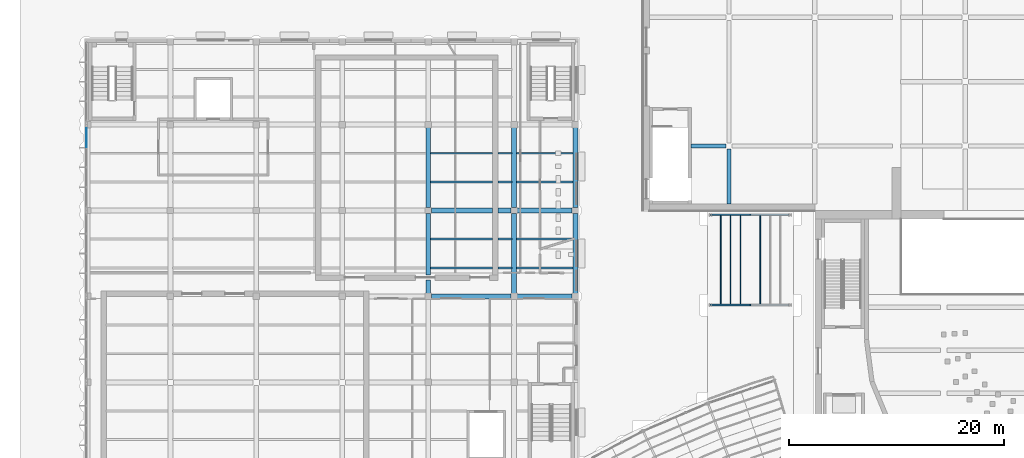
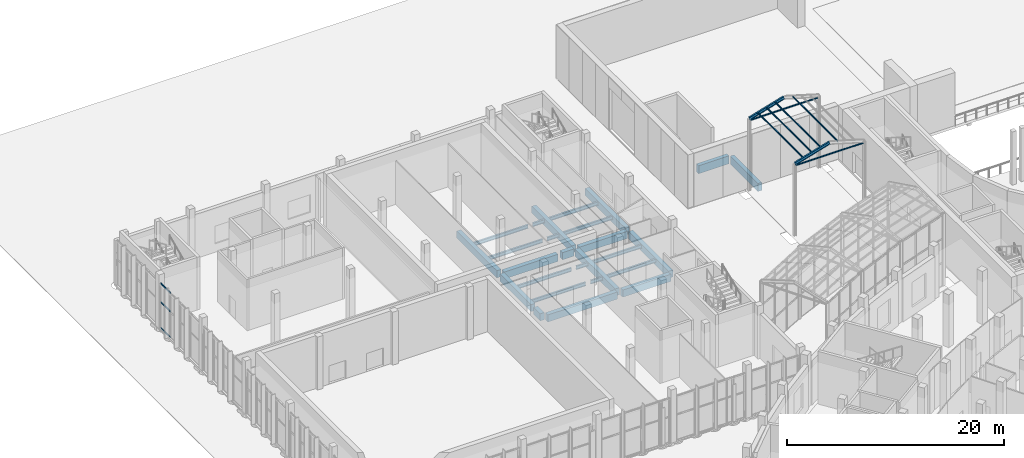
# One storey, part 41 of 155: 30 beams, 7 members, 1 element without a shape of its own.
"""IFC4 building model written with IfcOpenShell, lengths in metres."""

import ifcopenshell
import ifcopenshell.guid

model = None  # the IFC model being written
_history = None  # IfcOwnerHistory: only IFC2X3 demands one
_inside = {}  # id of a spatial element -> (the spatial element, [elements in it])
_under = {}  # id of a project, library or spatial element -> (it, [spatial elements below it])
_declared = {}  # id of a project -> (the project, [libraries it declares])
_typed = {}  # id of a type object -> (the type object, [elements of that type])
_made_of = {}  # id of a material, layer set ... -> (it, [elements and type objects made of it])


def new_model(schema):
    """Start an empty IFC model of exactly this schema.

    Asked for "IFC4X3", IfcOpenShell would pick the latest addendum, in which some entities
    have other attributes; the version numbers below select the first issue.
    IFC2X3 requires an IfcOwnerHistory on every rooted entity: one is made here for all.
    """
    global model, _history
    if schema == "IFC4X3":
        model = ifcopenshell.file(schema_version=(4, 3, 0, 0))
    else:
        model = ifcopenshell.file(schema=schema)
    _inside.clear()
    _under.clear()
    _declared.clear()
    _typed.clear()
    _made_of.clear()
    _history = None
    if model.schema == "IFC2X3":
        org = make("IfcOrganization", Name="unknown")
        user = make(
            "IfcPersonAndOrganization",
            ThePerson=make("IfcPerson", FamilyName="unknown"),
            TheOrganization=org,
        )
        app = make(
            "IfcApplication",
            ApplicationDeveloper=org,
            Version="unknown",
            ApplicationFullName="unknown",
            ApplicationIdentifier="unknown",
        )
        _history = make(
            "IfcOwnerHistory",
            OwningUser=user,
            OwningApplication=app,
            ChangeAction="ADDED",
            CreationDate=0,
        )
    return model


def make(cls, **values):
    """One entity of the class cls with the attributes given. An attribute that is None is left unset."""
    return model.create_entity(
        cls, **{name: value for name, value in values.items() if value is not None}
    )


def rooted(cls, **values):
    """An entity with a GlobalId (a new one), such as an element, a storey or a relation."""
    return make(cls, GlobalId=ifcopenshell.guid.new(), OwnerHistory=_history, **values)


def si_unit(unit_type, name, prefix=None):
    """IfcSIUnit, for example si_unit("LENGTHUNIT", "METRE", prefix="MILLI")."""
    return make("IfcSIUnit", UnitType=unit_type, Prefix=prefix, Name=name)


def assignment(units):
    """IfcUnitAssignment: the units of a project."""
    return None if units is None else make("IfcUnitAssignment", Units=units)


def point(xyz):
    """IfcCartesianPoint."""
    return None if xyz is None else make("IfcCartesianPoint", Coordinates=xyz)


def direction(xyz):
    """IfcDirection."""
    return None if xyz is None else make("IfcDirection", DirectionRatios=xyz)


def frame(location, z_axis=None, x_axis=None):
    """IfcAxis2Placement3D, a coordinate frame: its origin and axes. An axis left out is left unset."""
    return make(
        "IfcAxis2Placement3D",
        Location=point(location),
        Axis=direction(z_axis),
        RefDirection=direction(x_axis),
    )


def frame_2d(location, x_axis=None):
    """IfcAxis2Placement2D, a coordinate frame in the plane: its origin and x axis."""
    return make(
        "IfcAxis2Placement2D", Location=point(location), RefDirection=direction(x_axis)
    )


def origin():
    """The frame at (0, 0, 0) with its axes left unset."""
    return frame((0.0, 0.0, 0.0))


def origin_2d():
    """The frame at (0, 0) in the plane with its x axis left unset."""
    return frame_2d((0.0, 0.0))


def place(relative_to, where):
    """IfcLocalPlacement: puts the frame where relative to a parent placement (None: the world)."""
    return make(
        "IfcLocalPlacement", PlacementRelTo=relative_to, RelativePlacement=where
    )


def context(
    kind, dimensions, precision=None, world=None, true_north=None, identifier=None
):
    """IfcGeometricRepresentationContext, for example the 3D "Model" context."""
    return make(
        "IfcGeometricRepresentationContext",
        ContextIdentifier=identifier,
        ContextType=kind,
        CoordinateSpaceDimension=dimensions,
        Precision=precision,
        WorldCoordinateSystem=world,
        TrueNorth=true_north,
    )


def subcontext(parent, identifier, kind, view, scale=None):
    """IfcGeometricRepresentationSubContext, for example "Body" below "Model"."""
    return make(
        "IfcGeometricRepresentationSubContext",
        ContextIdentifier=identifier,
        ContextType=kind,
        ParentContext=parent,
        TargetScale=scale,
        TargetView=view,
    )


def project(units=None, contexts=None):
    """IfcProject with its units and contexts."""
    return rooted(
        "IfcProject",
        Name="project",
        RepresentationContexts=contexts,
        UnitsInContext=assignment(units),
    )


def spatial(cls, under=None, at=None, **own):
    """A site, building, storey or space (cls), placed at a placement, below another one or the project."""
    s = rooted(cls, ObjectPlacement=at, **own)
    if under is not None:
        _under.setdefault(under.id(), (under, []))[1].append(s)
    return s


def profile(cls, at=None, kind="AREA", **sizes):
    """A parametric profile (cls). Its sizes go by their IFC names, for example OverallWidth=200.0."""
    return make(cls, ProfileType=kind, Position=at, **sizes)


def rectangle(**sizes):
    """IfcRectangleProfileDef."""
    return profile("IfcRectangleProfileDef", **sizes)


def hollow_rectangle(**sizes):
    """IfcRectangleHollowProfileDef."""
    return profile("IfcRectangleHollowProfileDef", **sizes)


def i_section(**sizes):
    """IfcIShapeProfileDef."""
    return profile("IfcIShapeProfileDef", **sizes)


def extrude(swept, where, along, depth):
    """IfcExtrudedAreaSolid: the profile swept, set in the frame where, extruded along a direction by depth."""
    return make(
        "IfcExtrudedAreaSolid",
        SweptArea=swept,
        Position=where,
        ExtrudedDirection=direction(along),
        Depth=depth,
    )


def shape(context_of_items, identifier, shape_type, items):
    """IfcShapeRepresentation: the items that make up one representation, for example the "Body"."""
    return make(
        "IfcShapeRepresentation",
        ContextOfItems=context_of_items,
        RepresentationIdentifier=identifier,
        RepresentationType=shape_type,
        Items=items,
    )


def material(Name=None, Category=None):
    """IfcMaterial."""
    return make("IfcMaterial", Name=Name, Category=Category)


def layer(
    of_material, thickness, ventilated=None, Name=None, Category=None, Priority=None
):
    """IfcMaterialLayer: one layer of a wall or slab, of a material (None: an air gap)."""
    return make(
        "IfcMaterialLayer",
        Material=of_material,
        LayerThickness=thickness,
        IsVentilated=ventilated,
        Name=Name,
        Category=Category,
        Priority=Priority,
    )


def layer_set(layers, Name=None):
    """IfcMaterialLayerSet."""
    return make("IfcMaterialLayerSet", MaterialLayers=layers, LayerSetName=Name)


def material_profile(
    of_material, cross_section, Name=None, Category=None, Priority=None
):
    """IfcMaterialProfile: a cross section and its material."""
    return make(
        "IfcMaterialProfile",
        Name=Name,
        Material=of_material,
        Profile=cross_section,
        Priority=Priority,
        Category=Category,
    )


def profile_set(profiles, Name=None, composite=None):
    """IfcMaterialProfileSet."""
    return make(
        "IfcMaterialProfileSet",
        Name=Name,
        MaterialProfiles=profiles,
        CompositeProfile=composite,
    )


def made_of(thing, what):
    """Note that an element or type object is made of a material, layer set ...; save() writes the relation."""
    if what is not None:
        _made_of.setdefault(what.id(), (what, []))[1].append(thing)
    return thing


def type_object(cls, material=None, **own):
    """A type object (cls), such as IfcWallType, which elements share."""
    return made_of(rooted(cls, **own), material)


def element(
    cls,
    number,
    at=None,
    inside=None,
    cuts=None,
    type_object=None,
    material=None,
    context=None,
    identifier="Body",
    shape_type=None,
    held_by="IfcProductDefinitionShape",
    body=None,
    shapes=None,
    **own,
):
    """One element of the class cls, such as IfcWall. Its Tag is "e" and its number.

    at: its placement. inside: the storey or other place that contains it. cuts: it is an
    opening in that element (IfcRelVoidsElement). A single representation is given by context,
    identifier, shape_type and body (its items); several are given by shapes. held_by: the class
    of the entity that holds the representations. save() writes the other relations.
    """
    e = rooted(cls, Tag="e%d" % number, ObjectPlacement=at, **own)
    if body is not None:
        shapes = [shape(context, identifier, shape_type, body)]
    if shapes is not None:
        e.Representation = make(held_by, Representations=shapes)
    if inside is not None:
        _inside.setdefault(inside.id(), (inside, []))[1].append(e)
    if cuts is not None:
        rooted(
            "IfcRelVoidsElement", RelatingBuildingElement=cuts, RelatedOpeningElement=e
        )
    if type_object is not None:
        _typed.setdefault(type_object.id(), (type_object, []))[1].append(e)
    return made_of(e, material)


def aggregate(whole, parts):
    """IfcRelAggregates: a whole, such as a stair, and the parts it consists of."""
    return rooted("IfcRelAggregates", RelatingObject=whole, RelatedObjects=parts)


def save(model, path):
    """Write the relations noted so far, then the file.

    IfcRelAggregates (storeys below a building ...), IfcRelContainedInSpatialStructure (elements
    in a storey), IfcRelDefinesByType, IfcRelAssociatesMaterial and IfcRelDeclares: one each for
    every whole, place, type object, material and project.
    """
    for whole, parts in _under.values():
        aggregate(whole, parts)
    for where, things in _inside.values():
        rooted(
            "IfcRelContainedInSpatialStructure",
            RelatedElements=things,
            RelatingStructure=where,
        )
    for kind, things in _typed.values():
        rooted("IfcRelDefinesByType", RelatedObjects=things, RelatingType=kind)
    for what, things in _made_of.values():
        rooted("IfcRelAssociatesMaterial", RelatedObjects=things, RelatingMaterial=what)
    for by, libraries in _declared.values():
        rooted("IfcRelDeclares", RelatingContext=by, RelatedDefinitions=libraries)
    model.write(path)


model = new_model("IFC4")

# Units and contexts
model_context = context("Model", 3, precision=1e-05, world=origin(), true_north=direction((0.0, 1.0)))
body_context = subcontext(model_context, "Body", "Model", "MODEL_VIEW")
ifc_project = project(units=[si_unit("LENGTHUNIT", "METRE"), si_unit("AREAUNIT", "SQUARE_METRE"), si_unit("VOLUMEUNIT", "CUBIC_METRE"), si_unit("PLANEANGLEUNIT", "RADIAN"), si_unit("MASSUNIT", "GRAM", prefix="KILO")], contexts=[model_context])

# Site, building, storey
site_placement = place(None, origin())
site = spatial("IfcSite", under=ifc_project, at=site_placement, CompositionType="ELEMENT")
building_placement = place(site_placement, origin())
building = spatial("IfcBuilding", under=site, at=building_placement, Name="Lunette Opera House", CompositionType="ELEMENT")
storey_placement = place(building_placement, origin())
storey = spatial("IfcBuildingStorey", under=building, at=storey_placement, Name="L00", CompositionType="ELEMENT", Elevation=0.0)

# Members
ifc_material_1 = material(Name="Steel S355", Category="steel")
ifc_material_profile_1 = material_profile(ifc_material_1, i_section(OverallWidth=0.08203125, OverallDepth=0.159912109375, WebThickness=0.0048828125, FlangeThickness=0.00732421875, FilletRadius=0.009033203125, at=origin_2d()), Name="IPE 160")
ifc_profile_set_1 = profile_set([ifc_material_profile_1], Name="Steel S355")
member_type_1 = type_object("IfcMemberType", Name="PURLIN IPE 160", PredefinedType="PURLIN", material=ifc_profile_set_1)
for number, where, z_axis, x_axis, name in (
    (1, (67.22509765625, 87.199951171875, 8.47509765625), (0.0, 1.0, 0.0), (-1.0, 0.0, 0.0), "mem-PP-L00-PUFLW2A1872"),
    (2, (68.14990234375, 87.199951171875, 8.75), (0.0, 1.0, 0.0), (-1.0, 0.0, 0.0), "mem-PP-L00-PUFLW2A2872"),
    (3, (69.074951171875, 87.199951171875, 9.02490234375), (0.0, 1.0, 0.0), (-1.0, 0.0, 0.0), "mem-PP-L00-PUFLW2A3872"),
    (4, (70.925048828125, 87.199951171875, 9.02490234375), (0.0, 1.0, 0.0), (-1.0, 0.0, 0.0), "mem-PP-L00-PUFLW2B3872"),
):
    element("IfcMember", number, at=place(storey_placement, frame(where, z_axis=z_axis, x_axis=x_axis)), inside=storey, type_object=member_type_1, Name=name, PredefinedType="PURLIN", context=body_context, shape_type="SweptSolid", body=[
        extrude(i_section(OverallWidth=0.08203125, OverallDepth=0.159912109375, WebThickness=0.0048828125, FlangeThickness=0.00732421875, FilletRadius=0.009033203125, at=origin_2d()), origin(), (0.0, 0.0, 1.0), 8.400146484375),
    ])

# Beams
ifc_material_2 = material(Name="Concrete C35/45", Category="concrete")
ifc_material_profile_2 = material_profile(ifc_material_2, rectangle(XDim=0.39990234375, YDim=0.89990234375, at=origin_2d()), Name="RC BEAM 400X900")
ifc_profile_set_2 = profile_set([ifc_material_profile_2], Name="Concrete C35/45")
beam_type_1 = type_object("IfcBeamType", Name="RC BEAM 400X900", PredefinedType="BEAM", material=ifc_profile_set_2)
beam_1_placement = place(storey_placement, frame((64.489990234375, 102.0, -0.75), z_axis=(1.0, 0.0, 0.0), x_axis=(0.0, 1.0, 0.0)))
element("IfcBeam", 5, at=beam_1_placement, inside=storey, type_object=beam_type_1, Name="beam-ST-L00-SW-X1020-1", PredefinedType="BEAM", context=body_context, shape_type="SweptSolid", body=[
    extrude(rectangle(XDim=0.39990234375, YDim=0.89990234375, at=origin_2d()), origin(), (0.0, 0.0, 1.0), 3.219970703125),
])
beam_2_placement = place(storey_placement, frame((68.0, 96.590087890625, -0.75), z_axis=(0.0, 1.0, 0.0), x_axis=(-1.0, 0.0, 0.0)))
element("IfcBeam", 6, at=beam_2_placement, inside=storey, type_object=beam_type_1, Name="beam-ST-L00-SW-Y680-1", PredefinedType="BEAM", context=body_context, shape_type="SweptSolid", body=[
    extrude(rectangle(XDim=0.39990234375, YDim=0.89990234375, at=origin_2d()), origin(), (0.0, 0.0, 1.0), 5.119873046875),
])
ifc_material_3 = material(Name="Concrete C35/45", Category="concrete")
ifc_material_profile_3 = material_profile(ifc_material_3, rectangle(XDim=0.449951171875, YDim=0.800048828125, at=origin_2d()), Name="RC BEAM 450X800")
ifc_profile_set_3 = profile_set([ifc_material_profile_3], Name="Concrete C35/45")
beam_type_2 = type_object("IfcBeamType", Name="RC BEAM 450X800", PredefinedType="BEAM", material=ifc_profile_set_3)
beam_3_placement = place(storey_placement, frame((40.0, 88.2900390625, -0.550048828125), z_axis=(0.0, 1.0, 0.0), x_axis=(-1.0, 0.0, 0.0)))
element("IfcBeam", 7, at=beam_3_placement, inside=storey, type_object=beam_type_2, Name="beam-RW-L00-L00-GY43", PredefinedType="BEAM", context=body_context, shape_type="SweptSolid", body=[
    extrude(rectangle(XDim=0.449951171875, YDim=0.800048828125, at=origin_2d()), origin(), (0.0, 0.0, 1.0), 1.219970703125),
])
beam_4_placement = place(storey_placement, frame((40.0, 89.989990234375, -0.550048828125), z_axis=(0.0, 1.0, 0.0), x_axis=(-1.0, 0.0, 0.0)))
element("IfcBeam", 8, at=beam_4_placement, inside=storey, type_object=beam_type_2, Name="beam-RW-L00-L00-GY43-1", PredefinedType="BEAM", context=body_context, shape_type="SweptSolid", body=[
    extrude(rectangle(XDim=0.449951171875, YDim=0.800048828125, at=origin_2d()), origin(), (0.0, 0.0, 1.0), 5.719970703125),
])
for number, where, z_axis, x_axis, name in (
    (9, (40.0, 96.2900390625, -0.550048828125), (0.0, 1.0, 0.0), (-1.0, 0.0, 0.0), "beam-RW-L00-L00-GY44"),
    (10, (48.0, 88.2900390625, -0.550048828125), (0.0, 1.0, 0.0), (-1.0, 0.0, 0.0), "beam-RW-L00-L00-GY53"),
    (11, (48.0, 96.2900390625, -0.550048828125), (0.0, 1.0, 0.0), (-1.0, 0.0, 0.0), "beam-RW-L00-L00-GY54"),
    (12, (53.699951171875, 88.2900390625, -0.550048828125), (0.0, 1.0, 0.0), (-1.0, 0.0, 0.0), "beam-RW-L00-L00-GY63"),
    (13, (53.699951171875, 96.2900390625, -0.550048828125), (0.0, 1.0, 0.0), (-1.0, 0.0, 0.0), "beam-RW-L00-L00-GY64"),
    (14, (40.2900390625, 88.0, -0.550048828125), (1.0, 0.0, 0.0), (0.0, 1.0, 0.0), "beam-RW-L00-L00-GX43"),
):
    element("IfcBeam", number, at=place(storey_placement, frame(where, z_axis=z_axis, x_axis=x_axis)), inside=storey, type_object=beam_type_2, Name=name, PredefinedType="BEAM", context=body_context, shape_type="SweptSolid", body=[
        extrude(rectangle(XDim=0.449951171875, YDim=0.800048828125, at=origin_2d()), origin(), (0.0, 0.0, 1.0), 7.419921875),
    ])
beam_5_placement = place(storey_placement, frame((48.2900390625, 88.0, -0.550048828125), z_axis=(1.0, 0.0, 0.0), x_axis=(0.0, 1.0, 0.0)))
element("IfcBeam", 15, at=beam_5_placement, inside=storey, type_object=beam_type_2, Name="beam-RW-L00-L00-GX53", PredefinedType="BEAM", context=body_context, shape_type="SweptSolid", body=[
    extrude(rectangle(XDim=0.449951171875, YDim=0.800048828125, at=origin_2d()), origin(), (0.0, 0.0, 1.0), 5.119873046875),
])
beam_6_placement = place(storey_placement, frame((40.2900390625, 96.0, -0.550048828125), z_axis=(1.0, 0.0, 0.0), x_axis=(0.0, 1.0, 0.0)))
element("IfcBeam", 16, at=beam_6_placement, inside=storey, type_object=beam_type_2, Name="beam-RW-L00-L00-GX44", PredefinedType="BEAM", context=body_context, shape_type="SweptSolid", body=[
    extrude(rectangle(XDim=0.449951171875, YDim=0.800048828125, at=origin_2d()), origin(), (0.0, 0.0, 1.0), 5.719970703125),
])
beam_7_placement = place(storey_placement, frame((46.489990234375, 96.0, -0.550048828125), z_axis=(1.0, 0.0, 0.0), x_axis=(0.0, 1.0, 0.0)))
element("IfcBeam", 17, at=beam_7_placement, inside=storey, type_object=beam_type_2, Name="beam-RW-L00-L00-GX44-1", PredefinedType="BEAM", context=body_context, shape_type="SweptSolid", body=[
    extrude(rectangle(XDim=0.449951171875, YDim=0.800048828125, at=origin_2d()), origin(), (0.0, 0.0, 1.0), 1.219970703125),
])
beam_8_placement = place(storey_placement, frame((48.2900390625, 96.0, -0.550048828125), z_axis=(1.0, 0.0, 0.0), x_axis=(0.0, 1.0, 0.0)))
element("IfcBeam", 18, at=beam_8_placement, inside=storey, type_object=beam_type_2, Name="beam-RW-L00-L00-GX54", PredefinedType="BEAM", context=body_context, shape_type="SweptSolid", body=[
    extrude(rectangle(XDim=0.449951171875, YDim=0.800048828125, at=origin_2d()), origin(), (0.0, 0.0, 1.0), 5.119873046875),
])
ifc_material_4 = material(Name="Steel S355", Category="steel")
ifc_material_profile_4 = material_profile(ifc_material_4, i_section(OverallWidth=0.159912109375, OverallDepth=0.330078125, WebThickness=0.007568359375, FlangeThickness=0.011474609375, FilletRadius=0.01806640625, at=origin_2d()), Name="IPE 330")
ifc_profile_set_4 = profile_set([ifc_material_profile_4], Name="Steel S355")
beam_type_3 = type_object("IfcBeamType", Name="STEEL BEAM IPE 330", PredefinedType="BEAM", material=ifc_profile_set_4)
for number, where, z_axis, x_axis, name in (
    (19, (66.300048828125, 87.199951171875, 8.14990234375), (0.95852841803, 0.0, 0.284996968106), (0.0, 1.0, 0.0), "beam-PP-L00-FRW1A"),
    (20, (66.300048828125, 95.60009765625, 8.14990234375), (0.95852841803, 0.0, 0.284996968106), (0.0, 1.0, 0.0), "beam-PP-L00-FRW2A"),
):
    element("IfcBeam", number, at=place(storey_placement, frame(where, z_axis=z_axis, x_axis=x_axis)), inside=storey, type_object=beam_type_3, Name=name, PredefinedType="BEAM", context=body_context, shape_type="SweptSolid", body=[
        extrude(i_section(OverallWidth=0.159912109375, OverallDepth=0.330078125, WebThickness=0.007568359375, FlangeThickness=0.011474609375, FilletRadius=0.01806640625, at=origin_2d()), origin(), (0.0, 0.0, 1.0), 3.860107421875),
    ])
ifc_material_5 = material(Name="Steel S355", Category="steel")
ifc_material_profile_5 = material_profile(ifc_material_5, i_section(OverallWidth=0.179931640625, OverallDepth=0.39990234375, WebThickness=0.008544921875, FlangeThickness=0.013427734375, FilletRadius=0.02099609375, at=origin_2d()), Name="IPE 400")
ifc_profile_set_5 = profile_set([ifc_material_profile_5], Name="Steel S355")
beam_type_4 = type_object("IfcBeamType", Name="STEEL BEAM IPE 400", PredefinedType="BEAM", material=ifc_profile_set_5)
beam_9_placement = place(storey_placement, frame((40.215087890625, 90.6669921875, -0.35009765625), z_axis=(1.0, 0.0, 0.0), x_axis=(0.0, 1.0, 0.0)))
element("IfcBeam", 21, at=beam_9_placement, inside=storey, type_object=beam_type_4, Name="beam-RW-L00-L00-SX431", PredefinedType="BEAM", context=body_context, shape_type="SweptSolid", body=[
    extrude(i_section(OverallWidth=0.179931640625, OverallDepth=0.39990234375, WebThickness=0.008544921875, FlangeThickness=0.013427734375, FilletRadius=0.02099609375, at=origin_2d()), origin(), (0.0, 0.0, 1.0), 5.784912109375),
])
beam_10_placement = place(storey_placement, frame((46.5, 90.6669921875, -0.35009765625), z_axis=(1.0, 0.0, 0.0), x_axis=(0.0, 1.0, 0.0)))
element("IfcBeam", 22, at=beam_10_placement, inside=storey, type_object=beam_type_4, Name="beam-RW-L00-L00-SX431-01", PredefinedType="BEAM", context=body_context, shape_type="SweptSolid", body=[
    extrude(i_section(OverallWidth=0.179931640625, OverallDepth=0.39990234375, WebThickness=0.008544921875, FlangeThickness=0.013427734375, FilletRadius=0.02099609375, at=origin_2d()), origin(), (0.0, 0.0, 1.0), 1.284912109375),
])
beam_11_placement = place(storey_placement, frame((40.215087890625, 93.3330078125, -0.35009765625), z_axis=(1.0, 0.0, 0.0), x_axis=(0.0, 1.0, 0.0)))
element("IfcBeam", 23, at=beam_11_placement, inside=storey, type_object=beam_type_4, Name="beam-RW-L00-L00-SX432", PredefinedType="BEAM", context=body_context, shape_type="SweptSolid", body=[
    extrude(i_section(OverallWidth=0.179931640625, OverallDepth=0.39990234375, WebThickness=0.008544921875, FlangeThickness=0.013427734375, FilletRadius=0.02099609375, at=origin_2d()), origin(), (0.0, 0.0, 1.0), 5.784912109375),
])
beam_12_placement = place(storey_placement, frame((46.5, 93.3330078125, -0.35009765625), z_axis=(1.0, 0.0, 0.0), x_axis=(0.0, 1.0, 0.0)))
element("IfcBeam", 24, at=beam_12_placement, inside=storey, type_object=beam_type_4, Name="beam-RW-L00-L00-SX432-01", PredefinedType="BEAM", context=body_context, shape_type="SweptSolid", body=[
    extrude(i_section(OverallWidth=0.179931640625, OverallDepth=0.39990234375, WebThickness=0.008544921875, FlangeThickness=0.013427734375, FilletRadius=0.02099609375, at=origin_2d()), origin(), (0.0, 0.0, 1.0), 1.284912109375),
])
beam_13_placement = place(storey_placement, frame((40.215087890625, 98.6669921875, -0.35009765625), z_axis=(1.0, 0.0, 0.0), x_axis=(0.0, 1.0, 0.0)))
element("IfcBeam", 25, at=beam_13_placement, inside=storey, type_object=beam_type_4, Name="beam-RW-L00-L00-SX441", PredefinedType="BEAM", context=body_context, shape_type="SweptSolid", body=[
    extrude(i_section(OverallWidth=0.179931640625, OverallDepth=0.39990234375, WebThickness=0.008544921875, FlangeThickness=0.013427734375, FilletRadius=0.02099609375, at=origin_2d()), origin(), (0.0, 0.0, 1.0), 5.784912109375),
])
beam_14_placement = place(storey_placement, frame((46.5, 98.6669921875, -0.35009765625), z_axis=(1.0, 0.0, 0.0), x_axis=(0.0, 1.0, 0.0)))
element("IfcBeam", 26, at=beam_14_placement, inside=storey, type_object=beam_type_4, Name="beam-RW-L00-L00-SX441-01", PredefinedType="BEAM", context=body_context, shape_type="SweptSolid", body=[
    extrude(i_section(OverallWidth=0.179931640625, OverallDepth=0.39990234375, WebThickness=0.008544921875, FlangeThickness=0.013427734375, FilletRadius=0.02099609375, at=origin_2d()), origin(), (0.0, 0.0, 1.0), 1.284912109375),
])
beam_15_placement = place(storey_placement, frame((40.215087890625, 101.3330078125, -0.35009765625), z_axis=(1.0, 0.0, 0.0), x_axis=(0.0, 1.0, 0.0)))
element("IfcBeam", 27, at=beam_15_placement, inside=storey, type_object=beam_type_4, Name="beam-RW-L00-L00-SX442", PredefinedType="BEAM", context=body_context, shape_type="SweptSolid", body=[
    extrude(i_section(OverallWidth=0.179931640625, OverallDepth=0.39990234375, WebThickness=0.008544921875, FlangeThickness=0.013427734375, FilletRadius=0.02099609375, at=origin_2d()), origin(), (0.0, 0.0, 1.0), 5.784912109375),
])
beam_16_placement = place(storey_placement, frame((46.5, 101.3330078125, -0.35009765625), z_axis=(1.0, 0.0, 0.0), x_axis=(0.0, 1.0, 0.0)))
element("IfcBeam", 28, at=beam_16_placement, inside=storey, type_object=beam_type_4, Name="beam-RW-L00-L00-SX442-01", PredefinedType="BEAM", context=body_context, shape_type="SweptSolid", body=[
    extrude(i_section(OverallWidth=0.179931640625, OverallDepth=0.39990234375, WebThickness=0.008544921875, FlangeThickness=0.013427734375, FilletRadius=0.02099609375, at=origin_2d()), origin(), (0.0, 0.0, 1.0), 1.284912109375),
])
for number, where, z_axis, x_axis, name in (
    (29, (48.215087890625, 90.6669921875, -0.35009765625), (1.0, 0.0, 0.0), (0.0, 1.0, 0.0), "beam-RW-L00-L00-SX531"),
    (30, (48.215087890625, 93.3330078125, -0.35009765625), (1.0, 0.0, 0.0), (0.0, 1.0, 0.0), "beam-RW-L00-L00-SX532"),
    (31, (48.215087890625, 98.6669921875, -0.35009765625), (1.0, 0.0, 0.0), (0.0, 1.0, 0.0), "beam-RW-L00-L00-SX541"),
    (32, (48.215087890625, 101.3330078125, -0.35009765625), (1.0, 0.0, 0.0), (0.0, 1.0, 0.0), "beam-RW-L00-L00-SX542"),
):
    element("IfcBeam", number, at=place(storey_placement, frame(where, z_axis=z_axis, x_axis=x_axis)), inside=storey, type_object=beam_type_4, Name=name, PredefinedType="BEAM", context=body_context, shape_type="SweptSolid", body=[
        extrude(i_section(OverallWidth=0.179931640625, OverallDepth=0.39990234375, WebThickness=0.008544921875, FlangeThickness=0.013427734375, FilletRadius=0.02099609375, at=origin_2d()), origin(), (0.0, 0.0, 1.0), 5.27001953125),
    ])
ifc_material_6 = material(Name="Steel S355", Category="steel")
ifc_material_profile_6 = material_profile(ifc_material_6, hollow_rectangle(XDim=0.1201171875, YDim=0.1201171875, WallThickness=0.006103515625, InnerFilletRadius=0.006103515625, OuterFilletRadius=0.011962890625, at=origin_2d()), Name="RHS 120X120X6")
ifc_profile_set_6 = profile_set([ifc_material_profile_6], Name="Steel S355")
beam_type_5 = type_object("IfcBeamType", Name="STEEL BEAM RHS 120X120X6", PredefinedType="BEAM", material=ifc_profile_set_6)
for number, where, z_axis, x_axis, name in (
    (33, (66.4150390625, 87.199951171875, 7.949951171875), (1.0, 0.0, 0.0), (0.0, 1.0, 0.0), "beam-PP-L00-FTW1"),
    (34, (66.4150390625, 95.60009765625, 7.949951171875), (1.0, 0.0, 0.0), (0.0, 1.0, 0.0), "beam-PP-L00-FTW2"),
):
    element("IfcBeam", number, at=place(storey_placement, frame(where, z_axis=z_axis, x_axis=x_axis)), inside=storey, type_object=beam_type_5, Name=name, PredefinedType="BEAM", context=body_context, shape_type="SweptSolid", body=[
        extrude(hollow_rectangle(XDim=0.1201171875, YDim=0.1201171875, WallThickness=0.006103515625, InnerFilletRadius=0.006103515625, OuterFilletRadius=0.011962890625, at=origin_2d()), origin(), (0.0, 0.0, 1.0), 7.169921875),
    ])

# Curtain wall, members
ifc_material_7 = material(Name="Aluminium", Category="aluminium")
ifc_layer = layer(ifc_material_7, 0.179931640625)
ifc_layer_set = layer_set([ifc_layer], Name="Aluminium")
curtain_wall_type = type_object("IfcCurtainWallType", Name="SUN FACE CURTAIN WALL", PredefinedType="NOTDEFINED", material=ifc_layer_set)
curtain_wall_placement = place(storey_placement, origin())
curtain_wall = element("IfcCurtainWall", 35, at=curtain_wall_placement, inside=storey, type_object=curtain_wall_type, Name="Sun Face Curtain Wall F08 L00", PredefinedType="NOTDEFINED")
ifc_material_8 = material(Name="Aluminium", Category="aluminium")
ifc_material_profile_7 = material_profile(ifc_material_8, rectangle(XDim=0.06005859375, YDim=0.139892578125, at=origin_2d()), Name="TRANSOM 60 X 140")
ifc_profile_set_7 = profile_set([ifc_material_profile_7], Name="Aluminium")
member_type_2 = type_object("IfcMemberType", Name="TRANSOM 60 X 140", PredefinedType="USERDEFINED", material=ifc_profile_set_7)
member_1_placement = place(storey_placement, frame((8.181884765625, 103.635986328125, 0.030029296875), z_axis=(0.0, -1.0, 0.0), x_axis=(1.0, 0.0, 0.0)))
member_1 = element("IfcMember", 36, at=member_1_placement, type_object=member_type_2, Name="RW-X2002 transom 1.1", ObjectType="TRANSOM", PredefinedType="USERDEFINED", context=body_context, shape_type="SweptSolid", body=[
    extrude(rectangle(XDim=0.06005859375, YDim=0.139892578125, at=origin_2d()), origin(), (0.0, 0.0, 1.0), 1.75146484375),
])
member_2_placement = place(storey_placement, frame((8.181884765625, 103.635986328125, 2.925048828125), z_axis=(0.0, -1.0, 0.0), x_axis=(1.0, 0.0, 0.0)))
member_2 = element("IfcMember", 37, at=member_2_placement, type_object=member_type_2, Name="RW-X2002 transom 1.2", ObjectType="TRANSOM", PredefinedType="USERDEFINED", context=body_context, shape_type="SweptSolid", body=[
    extrude(rectangle(XDim=0.06005859375, YDim=0.139892578125, at=origin_2d()), origin(), (0.0, 0.0, 1.0), 1.75146484375),
])
member_3_placement = place(storey_placement, frame((8.181884765625, 103.635986328125, 5.02001953125), z_axis=(0.0, -1.0, 0.0), x_axis=(1.0, 0.0, 0.0)))
member_3 = element("IfcMember", 38, at=member_3_placement, type_object=member_type_2, Name="RW-X2002 transom 1.3", ObjectType="TRANSOM", PredefinedType="USERDEFINED", context=body_context, shape_type="SweptSolid", body=[
    extrude(rectangle(XDim=0.06005859375, YDim=0.139892578125, at=origin_2d()), origin(), (0.0, 0.0, 1.0), 1.75146484375),
])
aggregate(curtain_wall, [member_1, member_2, member_3])

save(model, "model.ifc")
